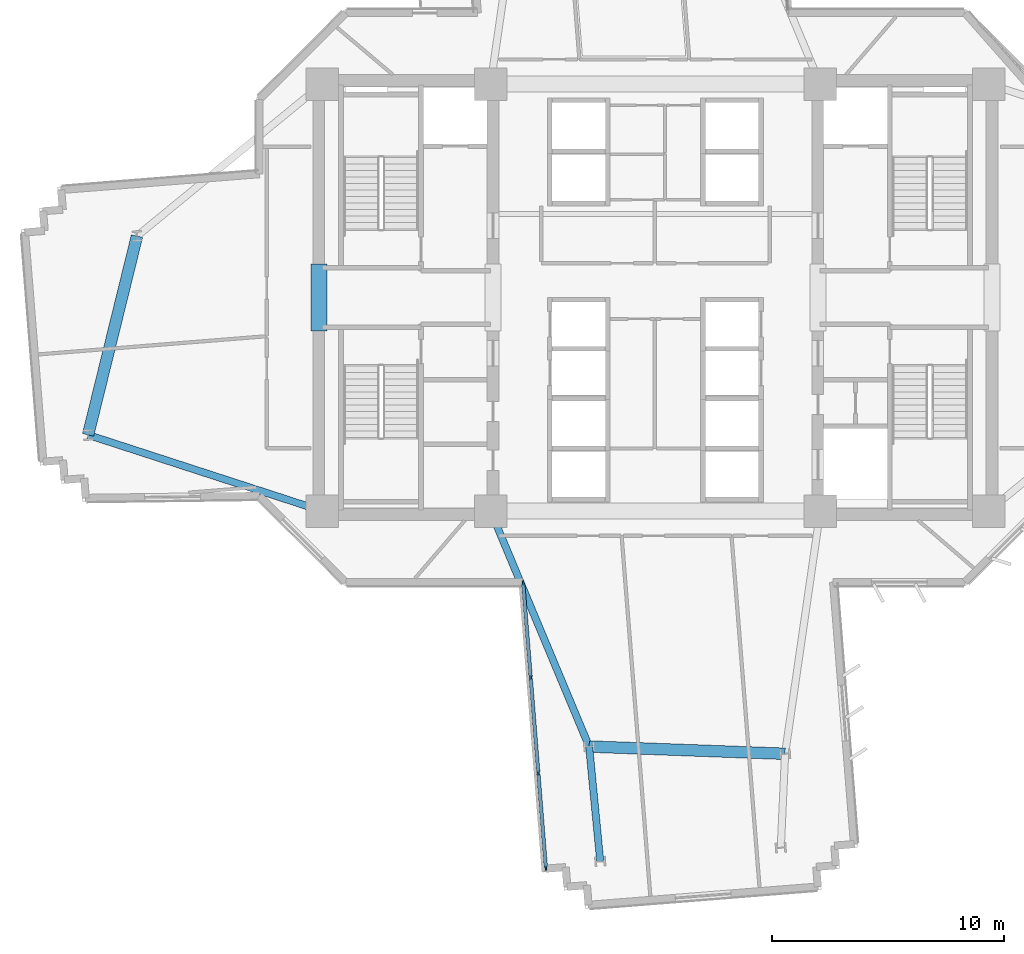
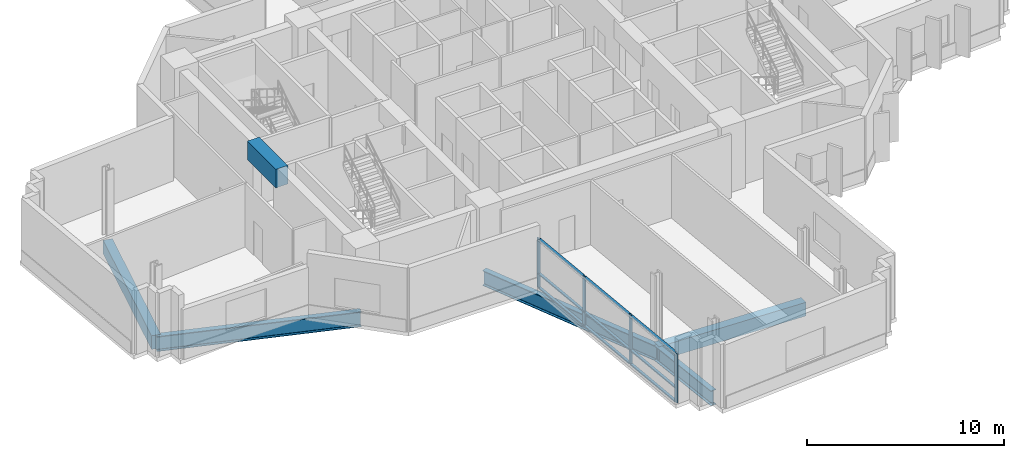
# One storey, part 2 of 15: 13 members, 6 beams, 1 element without a shape of its own.
"""IFC4 building model written with IfcOpenShell, lengths in metres."""

from ifc_helpers import new_model, si_unit, direction, frame, origin, origin_2d, place, context, subcontext, project, spatial, rectangle, i_section, extrude, source, transform, mapped, material, layer, layer_set, material_profile, profile_set, type_object, element, aggregate, save


model = new_model("IFC4")

# Units and contexts
model_context = context("Model", 3, precision=1e-05, world=origin(), true_north=direction((0.0, 1.0)))
body_context = subcontext(model_context, "Body", "Model", "MODEL_VIEW")
ifc_project = project(units=[si_unit("LENGTHUNIT", "METRE"), si_unit("AREAUNIT", "SQUARE_METRE"), si_unit("VOLUMEUNIT", "CUBIC_METRE"), si_unit("PLANEANGLEUNIT", "RADIAN"), si_unit("MASSUNIT", "GRAM", prefix="KILO")], contexts=[model_context])

# Site, building, storey
site_placement = place(None, origin())
site = spatial("IfcSite", under=ifc_project, at=site_placement, CompositionType="ELEMENT")
building_placement = place(site_placement, origin())
building = spatial("IfcBuilding", under=site, at=building_placement, Name="Zahravan Cultural Tower", CompositionType="ELEMENT")
storey_placement = place(building_placement, frame((0.0, 0.0, 87.89990234375)))
storey = spatial("IfcBuildingStorey", under=building, at=storey_placement, Name="L19", CompositionType="ELEMENT", Elevation=87.89990234375)

# Beams
ifc_material_1 = material(Name="Concrete C50/60", Category="concrete")
ifc_material_profile_1 = material_profile(ifc_material_1, rectangle(XDim=0.699951171875, YDim=1.14990234375, at=origin_2d()), Name="RC700X1150")
ifc_profile_set_1 = profile_set([ifc_material_profile_1], Name="Concrete C50/60")
beam_type_1 = type_object("IfcBeamType", Name="BM-LN-RC700X1150", PredefinedType="LINTEL", material=ifc_profile_set_1)
shared_shape_1 = source(origin(), body_context, "Body", "SweptSolid", [
    extrude(rectangle(XDim=0.699951171875, YDim=1.14990234375, at=origin_2d()), origin(), (0.0, 0.0, 1.0), 2.89990234375),
])
beam_1_placement = place(storey_placement, frame((21.5, 25.550048828125, 3.375), z_axis=(0.0, 1.0, 0.0), x_axis=(-1.0, 0.0, 0.0)))
element("IfcBeam", 1, at=beam_1_placement, inside=storey, type_object=beam_type_1, Name="L19 Beam LN-L19-PWW", PredefinedType="LINTEL", context=body_context, shape_type="MappedRepresentation", body=[
    mapped(shared_shape_1, transform((0.0, 0.0, 0.0), x_axis=(1.0, 0.0, 0.0), y_axis=(0.0, 1.0, 0.0), z_axis=(0.0, 0.0, 1.0), scale=1.0)),
])
ifc_material_2 = material(Name="Steel ASTM A992 Grade 50", Category="steel")
ifc_material_profile_2 = material_profile(ifc_material_2, i_section(OverallWidth=0.30908203125, OverallDepth=0.931884765625, WebThickness=0.02099609375, FlangeThickness=0.034423828125, FilletRadius=0.02392578125, at=origin_2d()), Name="W36X210")
ifc_profile_set_2 = profile_set([ifc_material_profile_2], Name="Steel ASTM A992 Grade 50")
beam_type_2 = type_object("IfcBeamType", Name="BM-G-W36X210", PredefinedType="BEAM", material=ifc_profile_set_2)
shared_shape_2 = source(origin(), body_context, "Body", "SweptSolid", [
    extrude(i_section(OverallWidth=0.30908203125, OverallDepth=0.931884765625, WebThickness=0.02099609375, FlangeThickness=0.034423828125, FilletRadius=0.02392578125, at=origin_2d()), origin(), (0.0, 0.0, 1.0), 10.615966796875),
])
beam_2_placement = place(storey_placement, frame((21.64990234375, 17.800048828125, -0.7158203125), z_axis=(-0.951063640083, 0.30899506875, 0.0), x_axis=(-0.30899506875, -0.951063640083, 0.0)))
element("IfcBeam", 2, at=beam_2_placement, inside=storey, type_object=beam_type_2, Name="L19 Beam BG-L19-07", PredefinedType="BEAM", context=body_context, shape_type="MappedRepresentation", body=[
    mapped(shared_shape_2, transform((0.0, 0.0, 0.0), x_axis=(1.0, 0.0, 0.0), y_axis=(0.0, 1.0, 0.0), z_axis=(0.0, 0.0, 1.0), scale=1.0)),
])
shared_shape_3 = source(origin(), body_context, "Body", "SweptSolid", [
    extrude(i_section(OverallWidth=0.30908203125, OverallDepth=0.931884765625, WebThickness=0.02099609375, FlangeThickness=0.034423828125, FilletRadius=0.02392578125, at=origin_2d()), origin(), (0.0, 0.0, 1.0), 10.997802734375),
])
beam_3_placement = place(storey_placement, frame((28.89990234375, 17.800048828125, -0.7158203125), z_axis=(0.385775211449, -0.922592806297, 0.0), x_axis=(0.922592806297, 0.385775211449, 0.0)))
element("IfcBeam", 3, at=beam_3_placement, inside=storey, type_object=beam_type_2, Name="L19 Beam BG-L19-08", PredefinedType="BEAM", context=body_context, shape_type="MappedRepresentation", body=[
    mapped(shared_shape_3, transform((0.0, 0.0, 0.0), x_axis=(1.0, 0.0, 0.0), y_axis=(0.0, 1.0, 0.0), z_axis=(0.0, 0.0, 1.0), scale=1.0)),
])
shared_shape_4 = source(origin(), body_context, "Body", "SweptSolid", [
    extrude(i_section(OverallWidth=0.30908203125, OverallDepth=0.931884765625, WebThickness=0.02099609375, FlangeThickness=0.034423828125, FilletRadius=0.02392578125, at=origin_2d()), origin(), (0.0, 0.0, 1.0), 4.973876953125),
])
beam_4_placement = place(storey_placement, frame((33.142578125, 7.653564453125, -0.7158203125), z_axis=(0.096154779131, -0.995366394073, 0.0), x_axis=(0.995366394073, 0.096154779131, 0.0)))
element("IfcBeam", 4, at=beam_4_placement, inside=storey, type_object=beam_type_2, Name="L19 Beam BG-L19-17", PredefinedType="BEAM", context=body_context, shape_type="MappedRepresentation", body=[
    mapped(shared_shape_4, transform((0.0, 0.0, 0.0), x_axis=(1.0, 0.0, 0.0), y_axis=(0.0, 1.0, 0.0), z_axis=(0.0, 0.0, 1.0), scale=1.0)),
])
ifc_material_profile_3 = material_profile(ifc_material_1, rectangle(XDim=0.5, YDim=0.85009765625, at=origin_2d()), Name="RC500X850")
ifc_profile_set_3 = profile_set([ifc_material_profile_3], Name="Concrete C50/60")
beam_type_3 = type_object("IfcBeamType", Name="BM-SP-RC500X850", PredefinedType="SPANDREL", material=ifc_profile_set_3)
shared_shape_5 = source(origin(), body_context, "Body", "SweptSolid", [
    extrude(rectangle(XDim=0.5, YDim=0.85009765625, at=origin_2d()), origin(), (0.0, 0.0, 1.0), 8.4482421875),
])
beam_5_placement = place(storey_placement, frame((33.142578125, 7.653564453125, -0.6748046875), z_axis=(0.999318826256, -0.036903705643, 0.0), x_axis=(0.036903705643, 0.999318826256, 0.0)))
element("IfcBeam", 5, at=beam_5_placement, inside=storey, type_object=beam_type_3, Name="L19 Beam SP-L19-19", PredefinedType="SPANDREL", context=body_context, shape_type="MappedRepresentation", body=[
    mapped(shared_shape_5, transform((0.0, 0.0, 0.0), x_axis=(1.0, 0.0, 0.0), y_axis=(0.0, 1.0, 0.0), z_axis=(0.0, 0.0, 1.0), scale=1.0)),
])
shared_shape_6 = source(origin(), body_context, "Body", "SweptSolid", [
    extrude(rectangle(XDim=0.5, YDim=0.85009765625, at=origin_2d()), origin(), (0.0, 0.0, 1.0), 8.8232421875),
])
beam_6_placement = place(storey_placement, frame((13.660888671875, 29.648193359375, -0.6748046875), z_axis=(-0.238848860516, -0.971056755206, 0.0), x_axis=(0.971056755206, -0.238848860516, 0.0)))
element("IfcBeam", 6, at=beam_6_placement, inside=storey, type_object=beam_type_3, Name="L19 Beam SP-L19-22", PredefinedType="SPANDREL", context=body_context, shape_type="MappedRepresentation", body=[
    mapped(shared_shape_6, transform((0.0, 0.0, 0.0), x_axis=(1.0, 0.0, 0.0), y_axis=(0.0, 1.0, 0.0), z_axis=(0.0, 0.0, 1.0), scale=1.0)),
])

# Curtain wall, members
ifc_material_3 = material(Name="Anodised bronze-aluminium mullion", Category="aluminium")
ifc_layer = layer(ifc_material_3, 0.199951171875)
ifc_layer_set = layer_set([ifc_layer], Name="Anodised bronze-aluminium mullion")
curtain_wall_type = type_object("IfcCurtainWallType", Name="CW-SYS-2", PredefinedType="USERDEFINED", material=ifc_layer_set)
curtain_wall_placement = place(storey_placement, origin())
curtain_wall = element("IfcCurtainWall", 7, at=curtain_wall_placement, inside=storey, type_object=curtain_wall_type, Name="L19 Recessed Curtain Wall CW-2.1", ObjectType="RECESSED GLAZING", PredefinedType="USERDEFINED")
ifc_material_profile_4 = material_profile(ifc_material_3, rectangle(XDim=0.074951171875, YDim=0.199951171875, at=origin_2d()), Name="AL-M75X200")
ifc_profile_set_4 = profile_set([ifc_material_profile_4], Name="Anodised bronze-aluminium mullion")
member_type_1 = type_object("IfcMemberType", Name="CWM-CW-2", PredefinedType="MULLION", material=ifc_profile_set_4)
shared_shape_7 = source(origin(), body_context, "Body", "SweptSolid", [
    extrude(rectangle(XDim=0.074951171875, YDim=0.199951171875, at=origin_2d()), origin(), (0.0, 0.0, 1.0), 3.070068359375),
])
member_1_placement = place(storey_placement, frame((31.27880859375, 2.42431640625, 0.0), z_axis=(0.0, 0.0, 1.0), x_axis=(-0.996834749139, -0.079501464817, 0.0)))
member_1 = element("IfcMember", 8, at=member_1_placement, type_object=member_type_1, Name="CW-2 mullion 1", PredefinedType="MULLION", context=body_context, shape_type="MappedRepresentation", body=[
    mapped(shared_shape_7, transform((0.0, 0.0, 0.0), x_axis=(1.0, 0.0, 0.0), y_axis=(0.0, 1.0, 0.0), z_axis=(0.0, 0.0, 1.0), scale=1.0)),
])
member_2_placement = place(storey_placement, frame((30.953369140625, 6.504638671875, 0.0), z_axis=(0.0, 0.0, 1.0), x_axis=(-0.996834749139, -0.079501464817, 0.0)))
member_2 = element("IfcMember", 9, at=member_2_placement, type_object=member_type_1, Name="CW-2 mullion 2", PredefinedType="MULLION", context=body_context, shape_type="MappedRepresentation", body=[
    mapped(shared_shape_7, transform((0.0, 0.0, 0.0), x_axis=(1.0, 0.0, 0.0), y_axis=(0.0, 1.0, 0.0), z_axis=(0.0, 0.0, 1.0), scale=1.0)),
])
member_3_placement = place(storey_placement, frame((30.625, 10.622314453125, 0.0), z_axis=(0.0, 0.0, 1.0), x_axis=(-0.996834749139, -0.079501464817, 0.0)))
member_3 = element("IfcMember", 10, at=member_3_placement, type_object=member_type_1, Name="CW-2 mullion 3", PredefinedType="MULLION", context=body_context, shape_type="MappedRepresentation", body=[
    mapped(shared_shape_7, transform((0.0, 0.0, 0.0), x_axis=(1.0, 0.0, 0.0), y_axis=(0.0, 1.0, 0.0), z_axis=(0.0, 0.0, 1.0), scale=1.0)),
])
member_4_placement = place(storey_placement, frame((30.299560546875, 14.70263671875, 0.0), z_axis=(0.0, 0.0, 1.0), x_axis=(-0.996834749139, -0.079501464817, 0.0)))
member_4 = element("IfcMember", 11, at=member_4_placement, type_object=member_type_1, Name="CW-2 mullion 4", PredefinedType="MULLION", context=body_context, shape_type="MappedRepresentation", body=[
    mapped(shared_shape_7, transform((0.0, 0.0, 0.0), x_axis=(1.0, 0.0, 0.0), y_axis=(0.0, 1.0, 0.0), z_axis=(0.0, 0.0, 1.0), scale=1.0)),
])
ifc_material_profile_5 = material_profile(ifc_material_3, rectangle(XDim=0.14990234375, YDim=0.074951171875, at=origin_2d()), Name="AL-T75X150")
ifc_profile_set_5 = profile_set([ifc_material_profile_5], Name="Anodised bronze-aluminium mullion")
member_type_2 = type_object("IfcMemberType", Name="CWT-CW-2", PredefinedType="USERDEFINED", material=ifc_profile_set_5)
shared_shape_8 = source(origin(), body_context, "Body", "SweptSolid", [
    extrude(rectangle(XDim=0.14990234375, YDim=0.074951171875, at=origin_2d()), origin(), (0.0, 0.0, 1.0), 4.018310546875),
])
member_5_placement = place(storey_placement, frame((31.27587890625, 2.461669921875, 0.03759765625), z_axis=(-0.079530302643, 0.99683244879, 0.0), x_axis=(-0.99683244879, -0.079530302643, 0.0)))
member_5 = element("IfcMember", 12, at=member_5_placement, type_object=member_type_2, Name="CW-2 transom 1.1", ObjectType="TRANSOM", PredefinedType="USERDEFINED", context=body_context, shape_type="MappedRepresentation", body=[
    mapped(shared_shape_8, transform((0.0, 0.0, 0.0), x_axis=(1.0, 0.0, 0.0), y_axis=(0.0, 1.0, 0.0), z_axis=(0.0, 0.0, 1.0), scale=1.0)),
])
member_6_placement = place(storey_placement, frame((31.27587890625, 2.461669921875, 0.900146484375), z_axis=(-0.079530302643, 0.99683244879, 0.0), x_axis=(-0.99683244879, -0.079530302643, 0.0)))
member_6 = element("IfcMember", 13, at=member_6_placement, type_object=member_type_2, Name="CW-2 transom 1.2", ObjectType="TRANSOM", PredefinedType="USERDEFINED", context=body_context, shape_type="MappedRepresentation", body=[
    mapped(shared_shape_8, transform((0.0, 0.0, 0.0), x_axis=(1.0, 0.0, 0.0), y_axis=(0.0, 1.0, 0.0), z_axis=(0.0, 0.0, 1.0), scale=1.0)),
])
member_7_placement = place(storey_placement, frame((31.27587890625, 2.461669921875, 3.03271484375), z_axis=(-0.079530302643, 0.99683244879, 0.0), x_axis=(-0.99683244879, -0.079530302643, 0.0)))
member_7 = element("IfcMember", 14, at=member_7_placement, type_object=member_type_2, Name="CW-2 transom 1.3", ObjectType="TRANSOM", PredefinedType="USERDEFINED", context=body_context, shape_type="MappedRepresentation", body=[
    mapped(shared_shape_8, transform((0.0, 0.0, 0.0), x_axis=(1.0, 0.0, 0.0), y_axis=(0.0, 1.0, 0.0), z_axis=(0.0, 0.0, 1.0), scale=1.0)),
])
member_8_placement = place(storey_placement, frame((30.6220703125, 10.65966796875, 0.03759765625), z_axis=(-0.079530302643, 0.99683244879, 0.0), x_axis=(-0.99683244879, -0.079530302643, 0.0)))
member_8 = element("IfcMember", 15, at=member_8_placement, type_object=member_type_2, Name="CW-2 transom 3.1", ObjectType="TRANSOM", PredefinedType="USERDEFINED", context=body_context, shape_type="MappedRepresentation", body=[
    mapped(shared_shape_8, transform((0.0, 0.0, 0.0), x_axis=(1.0, 0.0, 0.0), y_axis=(0.0, 1.0, 0.0), z_axis=(0.0, 0.0, 1.0), scale=1.0)),
])
member_9_placement = place(storey_placement, frame((30.6220703125, 10.65966796875, 0.900146484375), z_axis=(-0.079530302643, 0.99683244879, 0.0), x_axis=(-0.99683244879, -0.079530302643, 0.0)))
member_9 = element("IfcMember", 16, at=member_9_placement, type_object=member_type_2, Name="CW-2 transom 3.2", ObjectType="TRANSOM", PredefinedType="USERDEFINED", context=body_context, shape_type="MappedRepresentation", body=[
    mapped(shared_shape_8, transform((0.0, 0.0, 0.0), x_axis=(1.0, 0.0, 0.0), y_axis=(0.0, 1.0, 0.0), z_axis=(0.0, 0.0, 1.0), scale=1.0)),
])
member_10_placement = place(storey_placement, frame((30.6220703125, 10.65966796875, 3.03271484375), z_axis=(-0.079530302643, 0.99683244879, 0.0), x_axis=(-0.99683244879, -0.079530302643, 0.0)))
member_10 = element("IfcMember", 17, at=member_10_placement, type_object=member_type_2, Name="CW-2 transom 3.3", ObjectType="TRANSOM", PredefinedType="USERDEFINED", context=body_context, shape_type="MappedRepresentation", body=[
    mapped(shared_shape_8, transform((0.0, 0.0, 0.0), x_axis=(1.0, 0.0, 0.0), y_axis=(0.0, 1.0, 0.0), z_axis=(0.0, 0.0, 1.0), scale=1.0)),
])
shared_shape_9 = source(origin(), body_context, "Body", "SweptSolid", [
    extrude(rectangle(XDim=0.14990234375, YDim=0.074951171875, at=origin_2d()), origin(), (0.0, 0.0, 1.0), 4.055908203125),
])
member_11_placement = place(storey_placement, frame((30.950439453125, 6.5419921875, 0.03759765625), z_axis=(-0.079517932877, 0.99683343561, 0.0), x_axis=(-0.99683343561, -0.079517932877, 0.0)))
member_11 = element("IfcMember", 18, at=member_11_placement, type_object=member_type_2, Name="CW-2 transom 2.1", ObjectType="TRANSOM", PredefinedType="USERDEFINED", context=body_context, shape_type="MappedRepresentation", body=[
    mapped(shared_shape_9, transform((0.0, 0.0, 0.0), x_axis=(1.0, 0.0, 0.0), y_axis=(0.0, 1.0, 0.0), z_axis=(0.0, 0.0, 1.0), scale=1.0)),
])
member_12_placement = place(storey_placement, frame((30.950439453125, 6.5419921875, 0.900146484375), z_axis=(-0.079517932877, 0.99683343561, 0.0), x_axis=(-0.99683343561, -0.079517932877, 0.0)))
member_12 = element("IfcMember", 19, at=member_12_placement, type_object=member_type_2, Name="CW-2 transom 2.2", ObjectType="TRANSOM", PredefinedType="USERDEFINED", context=body_context, shape_type="MappedRepresentation", body=[
    mapped(shared_shape_9, transform((0.0, 0.0, 0.0), x_axis=(1.0, 0.0, 0.0), y_axis=(0.0, 1.0, 0.0), z_axis=(0.0, 0.0, 1.0), scale=1.0)),
])
member_13_placement = place(storey_placement, frame((30.950439453125, 6.5419921875, 3.03271484375), z_axis=(-0.079517932877, 0.99683343561, 0.0), x_axis=(-0.99683343561, -0.079517932877, 0.0)))
member_13 = element("IfcMember", 20, at=member_13_placement, type_object=member_type_2, Name="CW-2 transom 2.3", ObjectType="TRANSOM", PredefinedType="USERDEFINED", context=body_context, shape_type="MappedRepresentation", body=[
    mapped(shared_shape_9, transform((0.0, 0.0, 0.0), x_axis=(1.0, 0.0, 0.0), y_axis=(0.0, 1.0, 0.0), z_axis=(0.0, 0.0, 1.0), scale=1.0)),
])
aggregate(curtain_wall, [member_1, member_2, member_3, member_4, member_5, member_6, member_7, member_11, member_12, member_13, member_8, member_9, member_10])

save(model, "model.ifc")
